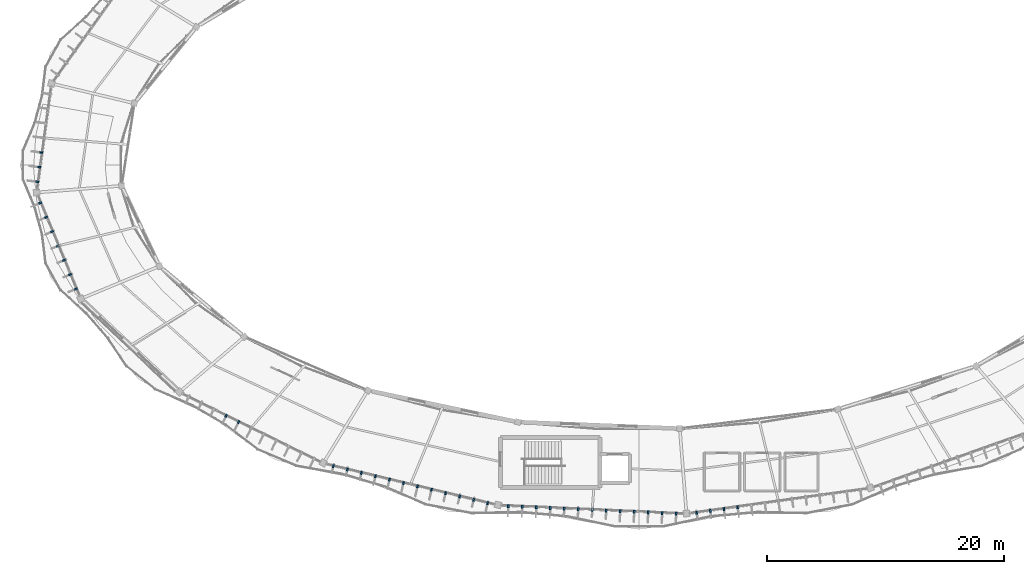
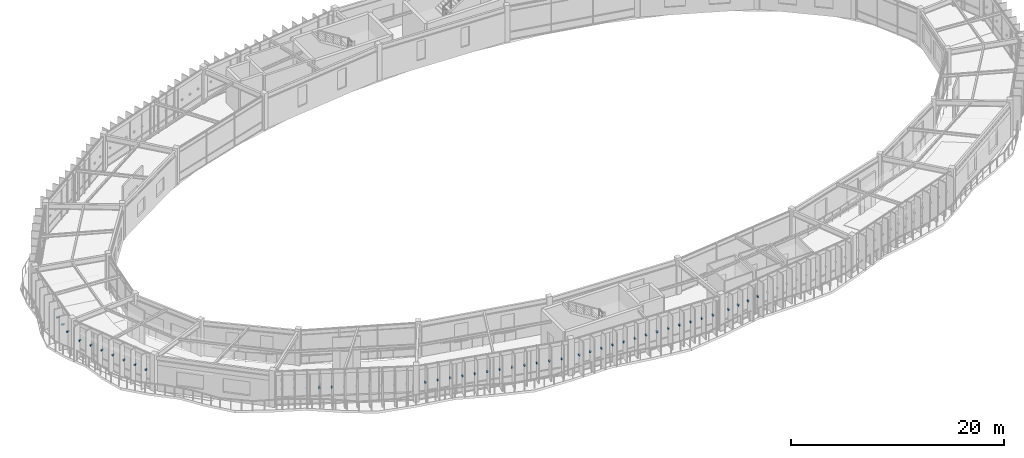
# One storey, part 71 of 79: 41 discrete accessories.
"""IFC4 building model written with IfcOpenShell, lengths in metres."""

from ifc_helpers import new_model, si_unit, direction, frame, origin, origin_2d, place, context, subcontext, project, spatial, rectangle, extrude, material, type_object, element, save


model = new_model("IFC4")

# Units and contexts
model_context = context("Model", 3, precision=1e-05, world=origin(), true_north=direction((0.0, 1.0)))
body_context = subcontext(model_context, "Body", "Model", "MODEL_VIEW")
ifc_project = project(units=[si_unit("LENGTHUNIT", "METRE"), si_unit("AREAUNIT", "SQUARE_METRE"), si_unit("VOLUMEUNIT", "CUBIC_METRE"), si_unit("PLANEANGLEUNIT", "RADIAN"), si_unit("MASSUNIT", "GRAM", prefix="KILO"), si_unit("THERMODYNAMICTEMPERATUREUNIT", "KELVIN"), si_unit("POWERUNIT", "WATT")], contexts=[model_context])

# Site, building, storey
site_placement = place(None, origin())
site = spatial("IfcSite", under=ifc_project, at=site_placement, CompositionType="ELEMENT")
building_placement = place(site_placement, origin())
building = spatial("IfcBuilding", under=site, at=building_placement, Name="Darbajah Civic Hall", CompositionType="ELEMENT")
storey_placement = place(building_placement, frame((0.0, 0.0, 22.199951171875)))
storey = spatial("IfcBuildingStorey", under=building, at=storey_placement, Name="L05", CompositionType="ELEMENT", Elevation=22.199951171875)

# Discrete accessories
ifc_material = material(Name="Stainless Steel S355JR", Category="steel")
discrete_accessory_type = type_object("IfcDiscreteAccessoryType", Name="Stainless Facade Support Bracket", PredefinedType="BRACKET", material=ifc_material)
for number, where, z_axis, x_axis, name in (
    (1, (38.655517578125, 90.858154296875, 1.89013671875), (0.0, 0.0, 1.0), (-0.990865897387, 0.134850930274, 0.0), "L05 shading fin bracket 09-5"),
    (2, (38.4873046875, 89.6220703125, 1.89013671875), (0.0, 0.0, 1.0), (-0.990865897387, 0.134850930274, 0.0), "L05 shading fin bracket 09-6"),
    (3, (38.319091796875, 88.385986328125, 1.89013671875), (0.0, 0.0, 1.0), (-0.990865897387, 0.134850930274, 0.0), "L05 shading fin bracket 09-7"),
    (4, (38.558837890625, 86.602294921875, 1.89013671875), (0.0, 0.0, 1.0), (-0.923612143954, -0.383328328644, 0.0), "L05 shading fin bracket 10-1"),
    (5, (39.060791015625, 85.393310546875, 1.89013671875), (0.0, 0.0, 1.0), (-0.923612143954, -0.383328328644, 0.0), "L05 shading fin bracket 10-2"),
    (6, (39.5625, 84.18408203125, 1.89013671875), (0.0, 0.0, 1.0), (-0.923612143954, -0.383328328644, 0.0), "L05 shading fin bracket 10-3"),
    (7, (40.064208984375, 82.97509765625, 1.89013671875), (0.0, 0.0, 1.0), (-0.923612143954, -0.383328328644, 0.0), "L05 shading fin bracket 10-4"),
    (8, (40.56591796875, 81.76611328125, 1.89013671875), (0.0, 0.0, 1.0), (-0.923612143954, -0.383328328644, 0.0), "L05 shading fin bracket 10-5"),
    (9, (41.06787109375, 80.55712890625, 1.89013671875), (0.0, 0.0, 1.0), (-0.923612143954, -0.383328328644, 0.0), "L05 shading fin bracket 10-6"),
    (10, (41.569580078125, 79.34814453125, 1.89013671875), (0.0, 0.0, 1.0), (-0.923612143954, -0.383328328644, 0.0), "L05 shading fin bracket 10-7"),
    (11, (54.24365234375, 68.635498046875, 1.89013671875), (0.0, 0.0, 1.0), (-0.442914717678, -0.89656374724, 0.0), "L05 shading fin bracket 12-4"),
    (12, (55.301513671875, 68.113037109375, 1.89013671875), (0.0, 0.0, 1.0), (-0.442914717678, -0.89656374724, 0.0), "L05 shading fin bracket 12-5"),
    (13, (63.2998046875, 64.382568359375, 1.89013671875), (0.0, 0.0, 1.0), (-0.232936200179, -0.972492018808, 0.0), "L05 shading fin bracket 13-1"),
    (14, (64.4833984375, 64.098876953125, 1.89013671875), (0.0, 0.0, 1.0), (-0.232936200179, -0.972492018808, 0.0), "L05 shading fin bracket 13-2"),
    (15, (65.6669921875, 63.815185546875, 1.89013671875), (0.0, 0.0, 1.0), (-0.232936200179, -0.972492018808, 0.0), "L05 shading fin bracket 13-3"),
    (16, (66.8505859375, 63.53173828125, 1.89013671875), (0.0, 0.0, 1.0), (-0.232936200179, -0.972492018808, 0.0), "L05 shading fin bracket 13-4"),
    (17, (68.0341796875, 63.248046875, 1.89013671875), (0.0, 0.0, 1.0), (-0.232936200179, -0.972492018808, 0.0), "L05 shading fin bracket 13-5"),
    (18, (69.2177734375, 62.964599609375, 1.89013671875), (0.0, 0.0, 1.0), (-0.232936200179, -0.972492018808, 0.0), "L05 shading fin bracket 13-6"),
    (19, (70.4013671875, 62.680908203125, 1.89013671875), (0.0, 0.0, 1.0), (-0.232936200179, -0.972492018808, 0.0), "L05 shading fin bracket 13-7"),
    (20, (71.584716796875, 62.3974609375, 1.89013671875), (0.0, 0.0, 1.0), (-0.232936200179, -0.972492018808, 0.0), "L05 shading fin bracket 13-8"),
    (21, (72.768310546875, 62.11376953125, 1.89013671875), (0.0, 0.0, 1.0), (-0.232936200179, -0.972492018808, 0.0), "L05 shading fin bracket 13-9"),
    (22, (73.951904296875, 61.830078125, 1.89013671875), (0.0, 0.0, 1.0), (-0.232936200179, -0.972492018808, 0.0), "L05 shading fin bracket 13-10"),
    (23, (75.135498046875, 61.546630859375, 1.89013671875), (0.0, 0.0, 1.0), (-0.232936200179, -0.972492018808, 0.0), "L05 shading fin bracket 13-11"),
    (24, (76.319091796875, 61.262939453125, 1.89013671875), (0.0, 0.0, 1.0), (-0.232936200179, -0.972492018808, 0.0), "L05 shading fin bracket 13-12"),
    (25, (78.058837890625, 61.015625, 1.89013671875), (0.0, 0.0, 1.0), (-0.045537340693, -0.998962637241, 0.0), "L05 shading fin bracket 14-1"),
    (26, (79.239990234375, 60.9619140625, 1.89013671875), (0.0, 0.0, 1.0), (-0.045537340693, -0.998962637241, 0.0), "L05 shading fin bracket 14-2"),
    (27, (80.4208984375, 60.908203125, 1.89013671875), (0.0, 0.0, 1.0), (-0.045537340693, -0.998962637241, 0.0), "L05 shading fin bracket 14-3"),
    (28, (81.60205078125, 60.8544921875, 1.89013671875), (0.0, 0.0, 1.0), (-0.045537340693, -0.998962637241, 0.0), "L05 shading fin bracket 14-4"),
    (29, (82.782958984375, 60.800537109375, 1.89013671875), (0.0, 0.0, 1.0), (-0.045537340693, -0.998962637241, 0.0), "L05 shading fin bracket 14-5"),
    (30, (83.964111328125, 60.746826171875, 1.89013671875), (0.0, 0.0, 1.0), (-0.045537340693, -0.998962637241, 0.0), "L05 shading fin bracket 14-6"),
    (31, (85.14501953125, 60.693115234375, 1.89013671875), (0.0, 0.0, 1.0), (-0.045537340693, -0.998962637241, 0.0), "L05 shading fin bracket 14-7"),
    (32, (86.326171875, 60.639404296875, 1.89013671875), (0.0, 0.0, 1.0), (-0.045537340693, -0.998962637241, 0.0), "L05 shading fin bracket 14-8"),
    (33, (87.507080078125, 60.58544921875, 1.89013671875), (0.0, 0.0, 1.0), (-0.045537340693, -0.998962637241, 0.0), "L05 shading fin bracket 14-9"),
    (34, (88.688232421875, 60.53173828125, 1.89013671875), (0.0, 0.0, 1.0), (-0.045537340693, -0.998962637241, 0.0), "L05 shading fin bracket 14-10"),
    (35, (89.869384765625, 60.47802734375, 1.89013671875), (0.0, 0.0, 1.0), (-0.045537340693, -0.998962637241, 0.0), "L05 shading fin bracket 14-11"),
    (36, (91.05029296875, 60.42431640625, 1.89013671875), (0.0, 0.0, 1.0), (-0.045537340693, -0.998962637241, 0.0), "L05 shading fin bracket 14-12"),
    (37, (92.2314453125, 60.370361328125, 1.89013671875), (0.0, 0.0, 1.0), (-0.045537340693, -0.998962637241, 0.0), "L05 shading fin bracket 14-13"),
    (38, (93.959716796875, 60.449462890625, 1.89013671875), (0.0, 0.0, 1.0), (0.137617420457, -0.990485459553, 0.0), "L05 shading fin bracket 15-1"),
    (39, (95.111083984375, 60.609375, 1.89013671875), (0.0, 0.0, 1.0), (0.137617420457, -0.990485459553, 0.0), "L05 shading fin bracket 15-2"),
    (40, (96.26220703125, 60.769287109375, 1.89013671875), (0.0, 0.0, 1.0), (0.137617420457, -0.990485459553, 0.0), "L05 shading fin bracket 15-3"),
    (41, (97.41357421875, 60.92919921875, 1.89013671875), (0.0, 0.0, 1.0), (0.137617420457, -0.990485459553, 0.0), "L05 shading fin bracket 15-4"),
):
    element("IfcDiscreteAccessory", number, at=place(storey_placement, frame(where, z_axis=z_axis, x_axis=x_axis)), inside=storey, type_object=discrete_accessory_type, Name=name, PredefinedType="BRACKET", context=body_context, shape_type="SweptSolid", body=[
        extrude(rectangle(XDim=0.260009765625, YDim=0.139892578125, at=origin_2d()), origin(), (0.0, 0.0, 1.0), 0.139892578125),
    ])

save(model, "model.ifc")
